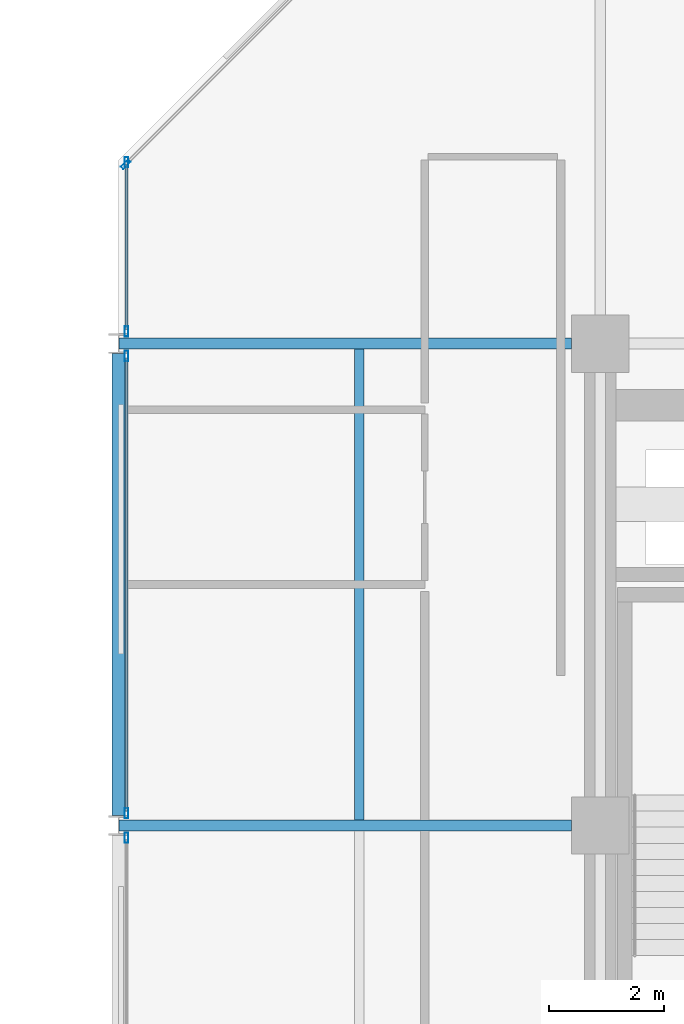
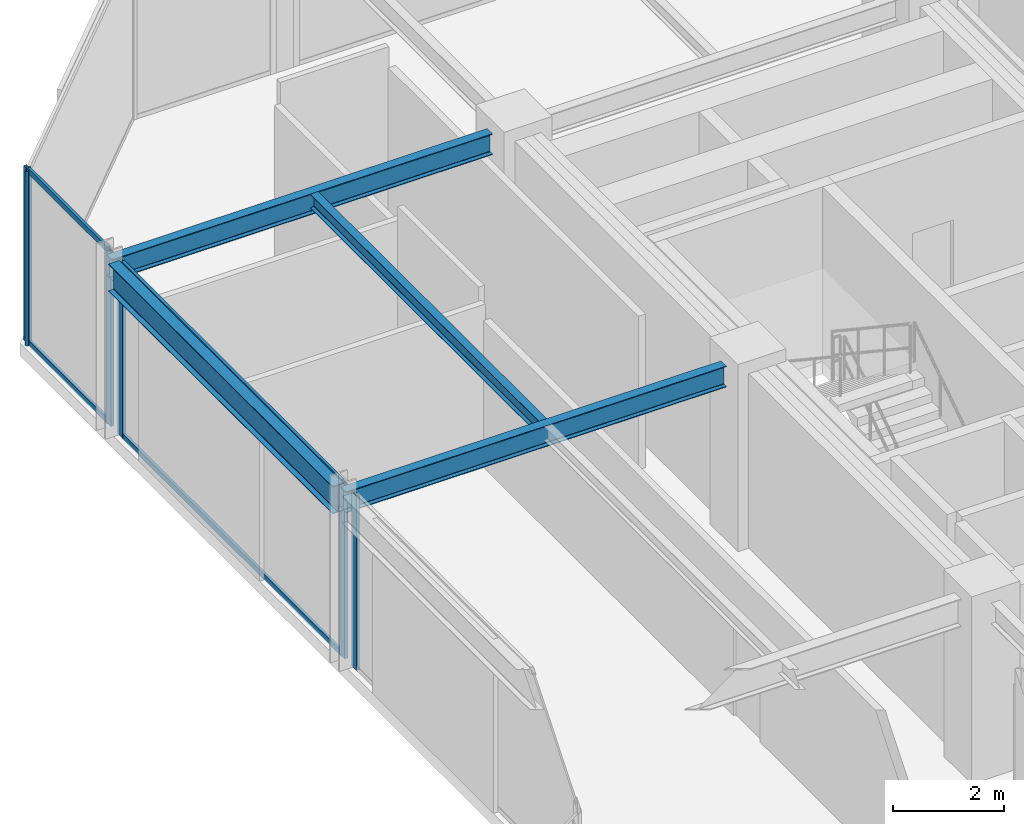
# One storey, part 17 of 29: 10 members, 4 beams, 4 elements without a shape of their own.
"""IFC4 building model written with IfcOpenShell, lengths in metres."""

from ifc_helpers import new_model, si_unit, direction, frame, origin, origin_2d, place, context, subcontext, project, spatial, hollow_rectangle, i_section, extrude, material, layer, layer_set, material_profile, profile_set, type_object, element, aggregate, save


model = new_model("IFC4")

# Units and contexts
model_context = context("Model", 3, precision=1e-05, world=origin(), true_north=direction((0.0, 1.0)))
body_context = subcontext(model_context, "Body", "Model", "MODEL_VIEW")
ifc_project = project(units=[si_unit("LENGTHUNIT", "METRE"), si_unit("AREAUNIT", "SQUARE_METRE"), si_unit("VOLUMEUNIT", "CUBIC_METRE"), si_unit("PLANEANGLEUNIT", "RADIAN"), si_unit("MASSUNIT", "GRAM", prefix="KILO")], contexts=[model_context])

# Site, building, storey
site_placement = place(None, origin())
site = spatial("IfcSite", under=ifc_project, at=site_placement, CompositionType="ELEMENT")
building_placement = place(site_placement, origin())
building = spatial("IfcBuilding", under=site, at=building_placement, Name="Nerrivon Quay Data Exchange", CompositionType="ELEMENT")
storey_placement = place(building_placement, frame((0.0, 0.0, 196.0)))
storey = spatial("IfcBuildingStorey", under=building, at=storey_placement, Name="L46", CompositionType="ELEMENT", Elevation=196.0)

# Beams
ifc_material_1 = material(Name="Steel Grade 350", Category="steel")
ifc_material_profile_1 = material_profile(ifc_material_1, i_section(OverallWidth=0.22802734375, OverallDepth=0.60205078125, WebThickness=0.010498046875, FlangeThickness=0.014892578125, FilletRadius=0.013916015625, at=origin_2d()), Name="610UB101")
ifc_profile_set_1 = profile_set([ifc_material_profile_1], Name="Steel Grade 350")
beam_type_1 = type_object("IfcBeamType", Name="BM-G2-610UB101", PredefinedType="BEAM", material=ifc_profile_set_1)
beam_1_placement = place(storey_placement, frame((0.0, 33.77490234375, 3.52392578125), z_axis=(0.0, 1.0, 0.0), x_axis=(-1.0, 0.0, 0.0)))
element("IfcBeam", 1, at=beam_1_placement, inside=storey, type_object=beam_type_1, Name="L46 NS Girder X=0.0 (33.6..42.0)", PredefinedType="BEAM", context=body_context, shape_type="SweptSolid", body=[
    extrude(i_section(OverallWidth=0.22802734375, OverallDepth=0.60205078125, WebThickness=0.010498046875, FlangeThickness=0.014892578125, FilletRadius=0.013916015625, at=origin_2d()), origin(), (0.0, 0.0, 1.0), 8.050048828125),
])
ifc_material_profile_2 = material_profile(ifc_material_1, i_section(OverallWidth=0.19091796875, OverallDepth=0.4599609375, WebThickness=0.010009765625, FlangeThickness=0.01611328125, FilletRadius=0.011474609375, at=origin_2d()), Name="460UB82.1")
ifc_profile_set_2 = profile_set([ifc_material_profile_2], Name="Steel Grade 350")
beam_type_2 = type_object("IfcBeamType", Name="BM-G5-460UB82", PredefinedType="BEAM", material=ifc_profile_set_2)
for number, where, z_axis, x_axis, name in (
    (2, (0.010009765625, 33.60009765625, 3.594970703125), (1.0, 0.0, 0.0), (0.0, 1.0, 0.0), "L46 EW Girder Y=33.6 (0.0..8.4)"),
    (3, (0.010009765625, 42.0, 3.594970703125), (1.0, 0.0, 0.0), (0.0, 1.0, 0.0), "L46 EW Girder Y=42.0 (0.0..8.4)"),
):
    element("IfcBeam", number, at=place(storey_placement, frame(where, z_axis=z_axis, x_axis=x_axis)), inside=storey, type_object=beam_type_2, Name=name, PredefinedType="BEAM", context=body_context, shape_type="SweptSolid", body=[
        extrude(i_section(OverallWidth=0.19091796875, OverallDepth=0.4599609375, WebThickness=0.010009765625, FlangeThickness=0.01611328125, FilletRadius=0.011474609375, at=origin_2d()), origin(), (0.0, 0.0, 1.0), 7.889892578125),
    ])
ifc_material_profile_3 = material_profile(ifc_material_1, i_section(OverallWidth=0.166015625, OverallDepth=0.306884765625, WebThickness=0.006591796875, FlangeThickness=0.01171875, FilletRadius=0.011474609375, at=origin_2d()), Name="310UB46.2")
ifc_profile_set_3 = profile_set([ifc_material_profile_3], Name="Steel Grade 350")
beam_type_3 = type_object("IfcBeamType", Name="BM-J5-310UB46", PredefinedType="JOIST", material=ifc_profile_set_3)
beam_2_placement = place(storey_placement, frame((4.199951171875, 33.695556640625, 3.67138671875), z_axis=(0.0, 1.0, 0.0), x_axis=(-1.0, 0.0, 0.0)))
element("IfcBeam", 4, at=beam_2_placement, inside=storey, type_object=beam_type_3, Name="L46 Secondary Joist X=4.2 (33.6..42.0)", PredefinedType="JOIST", context=body_context, shape_type="SweptSolid", body=[
    extrude(i_section(OverallWidth=0.166015625, OverallDepth=0.306884765625, WebThickness=0.006591796875, FlangeThickness=0.01171875, FilletRadius=0.011474609375, at=origin_2d()), origin(), (0.0, 0.0, 1.0), 8.208984375),
])

# Curtain wall, member
ifc_material_2 = material(Name="Anodised aluminium 6063-T6", Category="aluminium")
ifc_layer = layer(ifc_material_2, 0.195068359375)
ifc_layer_set = layer_set([ifc_layer], Name="Anodised aluminium 6063-T6")
curtain_wall_type = type_object("IfcCurtainWallType", Name="CW-SYS-06", PredefinedType="NOTDEFINED", material=ifc_layer_set)
curtain_wall_1_placement = place(storey_placement, origin())
curtain_wall_1 = element("IfcCurtainWall", 5, at=curtain_wall_1_placement, inside=storey, type_object=curtain_wall_type, Name="L46 Unitised Curtain Wall 4", PredefinedType="NOTDEFINED")
ifc_material_profile_4 = material_profile(ifc_material_2, hollow_rectangle(XDim=0.06494140625, YDim=0.179931640625, WallThickness=0.00341796875, at=origin_2d()), Name="ALU-MULL-180x65")
ifc_profile_set_4 = profile_set([ifc_material_profile_4], Name="Anodised aluminium 6063-T6")
member_type_1 = type_object("IfcMemberType", Name="CWM-180x65", PredefinedType="MULLION", material=ifc_profile_set_4)
member_1_placement = place(storey_placement, frame((0.139892578125, 33.387451171875, 0.0), z_axis=(0.0, 0.0, 1.0), x_axis=(-1.0, 0.0, 0.0)))
member_1 = element("IfcMember", 6, at=member_1_placement, type_object=member_type_1, Name="CW06 mullion 2", PredefinedType="MULLION", context=body_context, shape_type="SweptSolid", body=[
    extrude(hollow_rectangle(XDim=0.06494140625, YDim=0.179931640625, WallThickness=0.00341796875, at=origin_2d()), origin(), (0.0, 0.0, 1.0), 3.824951171875),
])
aggregate(curtain_wall_1, [member_1])

# Curtain wall, members
curtain_wall_2_placement = place(storey_placement, origin())
curtain_wall_2 = element("IfcCurtainWall", 7, at=curtain_wall_2_placement, inside=storey, type_object=curtain_wall_type, Name="L46 Unitised Curtain Wall 5", PredefinedType="NOTDEFINED")
member_2_placement = place(storey_placement, frame((0.139892578125, 33.8125, 0.0), z_axis=(0.0, 0.0, 1.0), x_axis=(-1.0, 0.0, 0.0)))
member_2 = element("IfcMember", 8, at=member_2_placement, type_object=member_type_1, Name="CW06 mullion 1", PredefinedType="MULLION", context=body_context, shape_type="SweptSolid", body=[
    extrude(hollow_rectangle(XDim=0.06494140625, YDim=0.179931640625, WallThickness=0.00341796875, at=origin_2d()), origin(), (0.0, 0.0, 1.0), 3.824951171875),
])
member_3_placement = place(storey_placement, frame((0.139892578125, 41.78759765625, 0.0), z_axis=(0.0, 0.0, 1.0), x_axis=(-1.0, 0.0, 0.0)))
member_3 = element("IfcMember", 9, at=member_3_placement, type_object=member_type_1, Name="CW06 mullion 2", PredefinedType="MULLION", context=body_context, shape_type="SweptSolid", body=[
    extrude(hollow_rectangle(XDim=0.06494140625, YDim=0.179931640625, WallThickness=0.00341796875, at=origin_2d()), origin(), (0.0, 0.0, 1.0), 3.824951171875),
])

curtain_wall_3_placement = place(storey_placement, origin())
curtain_wall_3 = element("IfcCurtainWall", 10, at=curtain_wall_3_placement, inside=storey, type_object=curtain_wall_type, Name="L46 Unitised Curtain Wall 6", PredefinedType="NOTDEFINED")
member_4_placement = place(storey_placement, frame((0.139892578125, 42.21240234375, 0.0), z_axis=(0.0, 0.0, 1.0), x_axis=(-1.0, 0.0, 0.0)))
member_4 = element("IfcMember", 11, at=member_4_placement, type_object=member_type_1, Name="CW06 mullion 1", PredefinedType="MULLION", context=body_context, shape_type="SweptSolid", body=[
    extrude(hollow_rectangle(XDim=0.06494140625, YDim=0.179931640625, WallThickness=0.00341796875, at=origin_2d()), origin(), (0.0, 0.0, 1.0), 3.824951171875),
])
member_5_placement = place(storey_placement, frame((0.139892578125, 45.16259765625, 0.0), z_axis=(0.0, 0.0, 1.0), x_axis=(-1.0, 0.0, 0.0)))
member_5 = element("IfcMember", 12, at=member_5_placement, type_object=member_type_1, Name="CW06 mullion 2", PredefinedType="MULLION", context=body_context, shape_type="SweptSolid", body=[
    extrude(hollow_rectangle(XDim=0.06494140625, YDim=0.179931640625, WallThickness=0.00341796875, at=origin_2d()), origin(), (0.0, 0.0, 1.0), 3.824951171875),
])

# Curtain wall, member
curtain_wall_4_placement = place(storey_placement, origin())
curtain_wall_4 = element("IfcCurtainWall", 13, at=curtain_wall_4_placement, inside=storey, type_object=curtain_wall_type, Name="L46 Unitised Curtain Wall 7", PredefinedType="NOTDEFINED")
member_6_placement = place(storey_placement, frame((0.12548828125, 45.12744140625, 0.0), z_axis=(0.0, 0.0, 1.0), x_axis=(-0.707106781187, 0.707106781187, 0.0)))
member_6 = element("IfcMember", 14, at=member_6_placement, type_object=member_type_1, Name="CW06 mullion 1", PredefinedType="MULLION", context=body_context, shape_type="SweptSolid", body=[
    extrude(hollow_rectangle(XDim=0.06494140625, YDim=0.179931640625, WallThickness=0.00341796875, at=origin_2d()), origin(), (0.0, 0.0, 1.0), 3.824951171875),
])
aggregate(curtain_wall_4, [member_6])

# Member
ifc_material_profile_5 = material_profile(ifc_material_2, hollow_rectangle(XDim=0.06005859375, YDim=0.1201171875, WallThickness=0.003173828125, at=origin_2d()), Name="ALU-TRAN-120x60")
ifc_profile_set_5 = profile_set([ifc_material_profile_5], Name="Anodised aluminium 6063-T6")
member_type_2 = type_object("IfcMemberType", Name="CWT-120x60", PredefinedType="USERDEFINED", material=ifc_profile_set_5)
member_7_placement = place(storey_placement, frame((0.139892578125, 33.85009765625, 0.032470703125), z_axis=(0.0, 1.0, 0.0), x_axis=(-1.0, 0.0, 0.0)))
member_7 = element("IfcMember", 15, at=member_7_placement, type_object=member_type_2, Name="CW06 transom 1.1", ObjectType="TRANSOM", PredefinedType="USERDEFINED", context=body_context, shape_type="SweptSolid", body=[
    extrude(hollow_rectangle(XDim=0.06005859375, YDim=0.1201171875, WallThickness=0.003173828125, at=origin_2d()), origin(), (0.0, 0.0, 1.0), 7.89990234375),
])

member_8_placement = place(storey_placement, frame((0.139892578125, 33.85009765625, 3.79248046875), z_axis=(0.0, 1.0, 0.0), x_axis=(-1.0, 0.0, 0.0)))
member_8 = element("IfcMember", 16, at=member_8_placement, type_object=member_type_2, Name="CW06 transom 1.2", ObjectType="TRANSOM", PredefinedType="USERDEFINED", context=body_context, shape_type="SweptSolid", body=[
    extrude(hollow_rectangle(XDim=0.06005859375, YDim=0.1201171875, WallThickness=0.003173828125, at=origin_2d()), origin(), (0.0, 0.0, 1.0), 7.89990234375),
])

aggregate(curtain_wall_2, [member_2, member_3, member_7, member_8])

member_9_placement = place(storey_placement, frame((0.139892578125, 42.25, 0.032470703125), z_axis=(0.0, 1.0, 0.0), x_axis=(-1.0, 0.0, 0.0)))
member_9 = element("IfcMember", 17, at=member_9_placement, type_object=member_type_2, Name="CW06 transom 1.1", ObjectType="TRANSOM", PredefinedType="USERDEFINED", context=body_context, shape_type="SweptSolid", body=[
    extrude(hollow_rectangle(XDim=0.06005859375, YDim=0.1201171875, WallThickness=0.003173828125, at=origin_2d()), origin(), (0.0, 0.0, 1.0), 2.875),
])

member_10_placement = place(storey_placement, frame((0.139892578125, 42.25, 3.79248046875), z_axis=(0.0, 1.0, 0.0), x_axis=(-1.0, 0.0, 0.0)))
member_10 = element("IfcMember", 18, at=member_10_placement, type_object=member_type_2, Name="CW06 transom 1.2", ObjectType="TRANSOM", PredefinedType="USERDEFINED", context=body_context, shape_type="SweptSolid", body=[
    extrude(hollow_rectangle(XDim=0.06005859375, YDim=0.1201171875, WallThickness=0.003173828125, at=origin_2d()), origin(), (0.0, 0.0, 1.0), 2.875),
])

aggregate(curtain_wall_3, [member_4, member_5, member_9, member_10])

save(model, "model.ifc")
